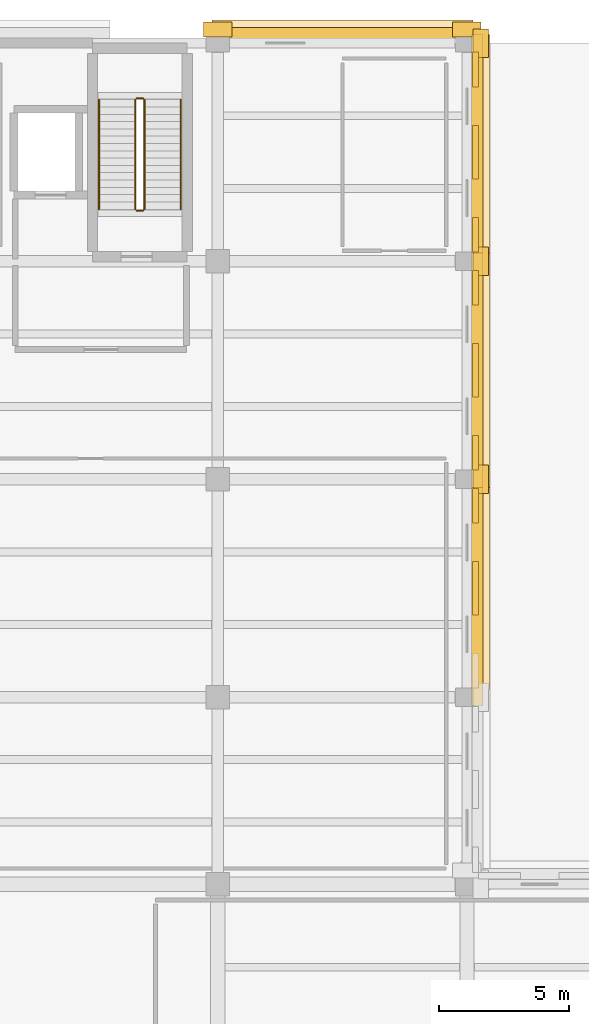
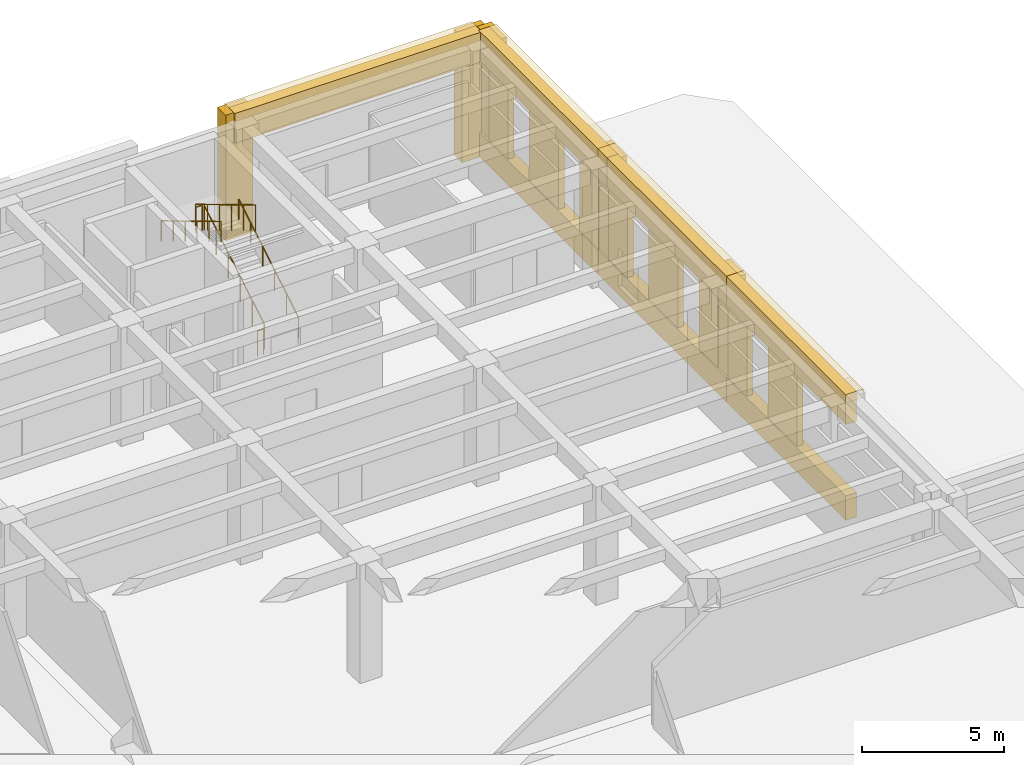
# One storey, part 48 of 51: 24 coverings, 6 railings.
"""IFC4 building model written with IfcOpenShell, lengths in metres."""

from ifc_helpers import new_model, si_unit, direction, frame, origin, origin_2d, place, context, subcontext, project, spatial, rectangle, circle, extrude, material, layer, layer_set, type_object, element, save


model = new_model("IFC4")

# Units and contexts
model_context = context("Model", 3, precision=1e-05, world=origin(), true_north=direction((0.0, 1.0)))
body_context = subcontext(model_context, "Body", "Model", "MODEL_VIEW")
ifc_project = project(units=[si_unit("LENGTHUNIT", "METRE"), si_unit("AREAUNIT", "SQUARE_METRE"), si_unit("VOLUMEUNIT", "CUBIC_METRE"), si_unit("PLANEANGLEUNIT", "RADIAN"), si_unit("MASSUNIT", "GRAM", prefix="KILO")], contexts=[model_context])

# Site, building, storey
site_placement = place(None, origin())
site = spatial("IfcSite", under=ifc_project, at=site_placement, CompositionType="ELEMENT")
building_placement = place(site_placement, origin())
building = spatial("IfcBuilding", under=site, at=building_placement, Name="Bempovik Park Faculty of Sciences", CompositionType="ELEMENT")
storey_placement = place(building_placement, origin())
storey = spatial("IfcBuildingStorey", under=building, at=storey_placement, Name="L00", CompositionType="ELEMENT", Elevation=0.0)

# Coverings
ifc_material_1 = material(Name="Precast concrete C40/50", Category="concrete")
ifc_layer_1 = layer(ifc_material_1, 0.179931640625)
ifc_layer_set_1 = layer_set([ifc_layer_1], Name="Precast concrete C40/50")
covering_type_1 = type_object("IfcCoveringType", Name="CL-02 Classical Cornice Band 180mm", PredefinedType="CLADDING", material=ifc_layer_set_1)
covering_1_placement = place(storey_placement, frame((112.800048828125, 119.929931640625, 5.0400390625), z_axis=(0.0, 0.0, 1.0), x_axis=(1.0, 0.0, 0.0)))
element("IfcCovering", 1, at=covering_1_placement, inside=storey, type_object=covering_type_1, Name="L00 Classical Projecting Dentil Cornice EW-L00-5876", PredefinedType="CLADDING", context=body_context, shape_type="SweptSolid", body=[
    extrude(rectangle(XDim=10.0458984375, YDim=0.719970703125, at=origin_2d()), origin(), (0.0, 0.0, 1.0), 0.360107421875),
])
for number, where, z_axis, x_axis, name in (
    (2, (118.1298828125, 98.39990234375, 5.0400390625), (0.0, 0.0, 1.0), (1.0, 0.0, 0.0), "L00 Classical Projecting Dentil Cornice EW-L00-5891"),
    (3, (118.1298828125, 106.800048828125, 5.0400390625), (0.0, 0.0, 1.0), (1.0, 0.0, 0.0), "L00 Classical Projecting Dentil Cornice EW-L00-5901"),
    (4, (118.1298828125, 115.199951171875, 5.0400390625), (0.0, 0.0, 1.0), (1.0, 0.0, 0.0), "L00 Classical Projecting Dentil Cornice EW-L00-5911"),
):
    element("IfcCovering", number, at=place(storey_placement, frame(where, z_axis=z_axis, x_axis=x_axis)), inside=storey, type_object=covering_type_1, Name=name, PredefinedType="CLADDING", context=body_context, shape_type="SweptSolid", body=[
        extrude(rectangle(XDim=0.719970703125, YDim=9.0458984375, at=origin_2d()), origin(), (0.0, 0.0, 1.0), 0.360107421875),
    ])
ifc_material_2 = material(Name="White reconstituted limestone precast C40/50", Category="masonry")
ifc_layer_2 = layer(ifc_material_2, 0.239990234375)
ifc_layer_set_2 = layer_set([ifc_layer_2], Name="White reconstituted limestone precast C40/50")
covering_type_2 = type_object("IfcCoveringType", Name="CL-03 Classical Fluted Limestone Pilaster 240mm", PredefinedType="CLADDING", material=ifc_layer_set_2)
covering_2_placement = place(storey_placement, frame((108.0, 119.929931640625, 0.0), z_axis=(0.0, 0.0, 1.0), x_axis=(1.0, 0.0, 0.0)))
element("IfcCovering", 5, at=covering_2_placement, inside=storey, type_object=covering_type_2, Name="L00 Classical Fluted Stone Pilaster PIL-BA-L00-1080-1199", PredefinedType="CLADDING", context=body_context, shape_type="SweptSolid", body=[
    extrude(rectangle(XDim=1.10009765625, YDim=0.580078125, at=origin_2d()), origin(), (0.0, 0.0, 1.0), 5.39990234375),
])
covering_3_placement = place(storey_placement, frame((112.800048828125, 119.7900390625, 4.1201171875), z_axis=(0.0, 0.0, 1.0), x_axis=(1.0, 0.0, 0.0)))
element("IfcCovering", 6, at=covering_3_placement, inside=storey, type_object=covering_type_2, Name="L00 Classical Limestone Spandrel Entablature EW-L00-5876", PredefinedType="CLADDING", context=body_context, shape_type="SweptSolid", body=[
    extrude(rectangle(XDim=10.0458984375, YDim=0.43994140625, at=origin_2d()), origin(), (0.0, 0.0, 1.0), 1.280029296875),
])
covering_4_placement = place(storey_placement, frame((117.60009765625, 119.929931640625, 0.0), z_axis=(0.0, 0.0, 1.0), x_axis=(1.0, 0.0, 0.0)))
element("IfcCovering", 7, at=covering_4_placement, inside=storey, type_object=covering_type_2, Name="L00 Classical Fluted Stone Pilaster PIL-BA-L00-1176-1199", PredefinedType="CLADDING", context=body_context, shape_type="SweptSolid", body=[
    extrude(rectangle(XDim=1.10009765625, YDim=0.580078125, at=origin_2d()), origin(), (0.0, 0.0, 1.0), 5.39990234375),
])
covering_5_placement = place(storey_placement, frame((117.989990234375, 98.39990234375, 4.1201171875), z_axis=(0.0, 0.0, 1.0), x_axis=(1.0, 0.0, 0.0)))
element("IfcCovering", 8, at=covering_5_placement, inside=storey, type_object=covering_type_2, Name="L00 Classical Limestone Spandrel Entablature EW-L00-5891", PredefinedType="CLADDING", context=body_context, shape_type="SweptSolid", body=[
    extrude(rectangle(XDim=0.43994140625, YDim=9.0458984375, at=origin_2d()), origin(), (0.0, 0.0, 1.0), 1.280029296875),
])
covering_6_placement = place(storey_placement, frame((117.989990234375, 98.39990234375, 0.0), z_axis=(0.0, 0.0, 1.0), x_axis=(1.0, 0.0, 0.0)))
element("IfcCovering", 9, at=covering_6_placement, inside=storey, type_object=covering_type_2, Name="L00 Classical Limestone Sill Dado EW-L00-5891", PredefinedType="CLADDING", context=body_context, shape_type="SweptSolid", body=[
    extrude(rectangle(XDim=0.43994140625, YDim=9.0458984375, at=origin_2d()), origin(), (0.0, 0.0, 1.0), 1.050048828125),
])
covering_7_placement = place(storey_placement, frame((118.1298828125, 102.60009765625, 0.0), z_axis=(0.0, 0.0, 1.0), x_axis=(1.0, 0.0, 0.0)))
element("IfcCovering", 10, at=covering_7_placement, inside=storey, type_object=covering_type_2, Name="L00 Classical Fluted Stone Pilaster PIL-BA-L00-1181-1026", PredefinedType="CLADDING", context=body_context, shape_type="SweptSolid", body=[
    extrude(rectangle(XDim=0.580078125, YDim=1.10009765625, at=origin_2d()), origin(), (0.0, 0.0, 1.0), 5.39990234375),
])
covering_8_placement = place(storey_placement, frame((117.929931640625, 98.39990234375, 0.0), z_axis=(0.0, 0.0, 1.0), x_axis=(1.0, 0.0, 0.0)))
element("IfcCovering", 11, at=covering_8_placement, inside=storey, type_object=covering_type_2, Name="L00 White Limestone Wall Cheek EW-L00-5891-2", PredefinedType="CLADDING", context=body_context, shape_type="SweptSolid", body=[
    extrude(rectangle(XDim=0.239990234375, YDim=2.060302734375, at=origin_2d()), origin(), (0.0, 0.0, 1.0), 4.280029296875),
])
covering_9_placement = place(storey_placement, frame((117.929931640625, 101.5791015625, 0.0), z_axis=(0.0, 0.0, 1.0), x_axis=(1.0, 0.0, 0.0)))
element("IfcCovering", 12, at=covering_9_placement, inside=storey, type_object=covering_type_2, Name="L00 White Limestone Wall Cheek EW-L00-5891-4", PredefinedType="CLADDING", context=body_context, shape_type="SweptSolid", body=[
    extrude(rectangle(XDim=0.239990234375, YDim=1.337890625, at=origin_2d()), origin(), (0.0, 0.0, 1.0), 4.280029296875),
])
covering_10_placement = place(storey_placement, frame((117.989990234375, 106.800048828125, 4.1201171875), z_axis=(0.0, 0.0, 1.0), x_axis=(1.0, 0.0, 0.0)))
element("IfcCovering", 13, at=covering_10_placement, inside=storey, type_object=covering_type_2, Name="L00 Classical Limestone Spandrel Entablature EW-L00-5901", PredefinedType="CLADDING", context=body_context, shape_type="SweptSolid", body=[
    extrude(rectangle(XDim=0.43994140625, YDim=9.0458984375, at=origin_2d()), origin(), (0.0, 0.0, 1.0), 1.280029296875),
])
covering_11_placement = place(storey_placement, frame((117.989990234375, 106.800048828125, 0.0), z_axis=(0.0, 0.0, 1.0), x_axis=(1.0, 0.0, 0.0)))
element("IfcCovering", 14, at=covering_11_placement, inside=storey, type_object=covering_type_2, Name="L00 Classical Limestone Sill Dado EW-L00-5901", PredefinedType="CLADDING", context=body_context, shape_type="SweptSolid", body=[
    extrude(rectangle(XDim=0.43994140625, YDim=9.0458984375, at=origin_2d()), origin(), (0.0, 0.0, 1.0), 1.050048828125),
])
covering_12_placement = place(storey_placement, frame((118.1298828125, 111.0, 0.0), z_axis=(0.0, 0.0, 1.0), x_axis=(1.0, 0.0, 0.0)))
element("IfcCovering", 15, at=covering_12_placement, inside=storey, type_object=covering_type_2, Name="L00 Classical Fluted Stone Pilaster PIL-BA-L00-1181-1110", PredefinedType="CLADDING", context=body_context, shape_type="SweptSolid", body=[
    extrude(rectangle(XDim=0.580078125, YDim=1.10009765625, at=origin_2d()), origin(), (0.0, 0.0, 1.0), 5.39990234375),
])
covering_13_placement = place(storey_placement, frame((117.929931640625, 103.620849609375, 0.0), z_axis=(0.0, 0.0, 1.0), x_axis=(1.0, 0.0, 0.0)))
element("IfcCovering", 16, at=covering_13_placement, inside=storey, type_object=covering_type_2, Name="L00 White Limestone Wall Cheek EW-L00-5901-0", PredefinedType="CLADDING", context=body_context, shape_type="SweptSolid", body=[
    extrude(rectangle(XDim=0.239990234375, YDim=1.337890625, at=origin_2d()), origin(), (0.0, 0.0, 1.0), 4.280029296875),
])
covering_14_placement = place(storey_placement, frame((117.929931640625, 106.800048828125, 0.0), z_axis=(0.0, 0.0, 1.0), x_axis=(1.0, 0.0, 0.0)))
element("IfcCovering", 17, at=covering_14_placement, inside=storey, type_object=covering_type_2, Name="L00 White Limestone Wall Cheek EW-L00-5901-2", PredefinedType="CLADDING", context=body_context, shape_type="SweptSolid", body=[
    extrude(rectangle(XDim=0.239990234375, YDim=2.060302734375, at=origin_2d()), origin(), (0.0, 0.0, 1.0), 4.280029296875),
])
covering_15_placement = place(storey_placement, frame((117.929931640625, 109.97900390625, 0.0), z_axis=(0.0, 0.0, 1.0), x_axis=(1.0, 0.0, 0.0)))
element("IfcCovering", 18, at=covering_15_placement, inside=storey, type_object=covering_type_2, Name="L00 White Limestone Wall Cheek EW-L00-5901-4", PredefinedType="CLADDING", context=body_context, shape_type="SweptSolid", body=[
    extrude(rectangle(XDim=0.239990234375, YDim=1.337890625, at=origin_2d()), origin(), (0.0, 0.0, 1.0), 4.280029296875),
])
covering_16_placement = place(storey_placement, frame((117.989990234375, 115.199951171875, 4.1201171875), z_axis=(0.0, 0.0, 1.0), x_axis=(1.0, 0.0, 0.0)))
element("IfcCovering", 19, at=covering_16_placement, inside=storey, type_object=covering_type_2, Name="L00 Classical Limestone Spandrel Entablature EW-L00-5911", PredefinedType="CLADDING", context=body_context, shape_type="SweptSolid", body=[
    extrude(rectangle(XDim=0.43994140625, YDim=9.0458984375, at=origin_2d()), origin(), (0.0, 0.0, 1.0), 1.280029296875),
])
covering_17_placement = place(storey_placement, frame((117.989990234375, 115.199951171875, 0.0), z_axis=(0.0, 0.0, 1.0), x_axis=(1.0, 0.0, 0.0)))
element("IfcCovering", 20, at=covering_17_placement, inside=storey, type_object=covering_type_2, Name="L00 Classical Limestone Sill Dado EW-L00-5911", PredefinedType="CLADDING", context=body_context, shape_type="SweptSolid", body=[
    extrude(rectangle(XDim=0.43994140625, YDim=9.0458984375, at=origin_2d()), origin(), (0.0, 0.0, 1.0), 1.050048828125),
])
covering_18_placement = place(storey_placement, frame((118.1298828125, 119.39990234375, 0.0), z_axis=(0.0, 0.0, 1.0), x_axis=(1.0, 0.0, 0.0)))
element("IfcCovering", 21, at=covering_18_placement, inside=storey, type_object=covering_type_2, Name="L00 Classical Fluted Stone Pilaster PIL-BA-L00-1181-1194", PredefinedType="CLADDING", context=body_context, shape_type="SweptSolid", body=[
    extrude(rectangle(XDim=0.580078125, YDim=1.10009765625, at=origin_2d()), origin(), (0.0, 0.0, 1.0), 5.39990234375),
])
covering_19_placement = place(storey_placement, frame((117.929931640625, 112.02099609375, 0.0), z_axis=(0.0, 0.0, 1.0), x_axis=(1.0, 0.0, 0.0)))
element("IfcCovering", 22, at=covering_19_placement, inside=storey, type_object=covering_type_2, Name="L00 White Limestone Wall Cheek EW-L00-5911-0", PredefinedType="CLADDING", context=body_context, shape_type="SweptSolid", body=[
    extrude(rectangle(XDim=0.239990234375, YDim=1.337890625, at=origin_2d()), origin(), (0.0, 0.0, 1.0), 4.280029296875),
])
covering_20_placement = place(storey_placement, frame((117.929931640625, 115.199951171875, 0.0), z_axis=(0.0, 0.0, 1.0), x_axis=(1.0, 0.0, 0.0)))
element("IfcCovering", 23, at=covering_20_placement, inside=storey, type_object=covering_type_2, Name="L00 White Limestone Wall Cheek EW-L00-5911-2", PredefinedType="CLADDING", context=body_context, shape_type="SweptSolid", body=[
    extrude(rectangle(XDim=0.239990234375, YDim=2.060302734375, at=origin_2d()), origin(), (0.0, 0.0, 1.0), 4.280029296875),
])
covering_21_placement = place(storey_placement, frame((117.929931640625, 118.379150390625, 0.0), z_axis=(0.0, 0.0, 1.0), x_axis=(1.0, 0.0, 0.0)))
element("IfcCovering", 24, at=covering_21_placement, inside=storey, type_object=covering_type_2, Name="L00 White Limestone Wall Cheek EW-L00-5911-4", PredefinedType="CLADDING", context=body_context, shape_type="SweptSolid", body=[
    extrude(rectangle(XDim=0.239990234375, YDim=1.337890625, at=origin_2d()), origin(), (0.0, 0.0, 1.0), 4.280029296875),
])

# Railings
ifc_material_3 = material(Name="Anodised architectural bronze")
railing_type_1 = type_object("IfcRailingType", Name="GR-01 Guardrail 1120mm", PredefinedType="GUARDRAIL", material=ifc_material_3)
railing_1_placement = place(storey_placement, frame((105.175048828125, 113.0, 0.168701171875)))
element("IfcRailing", 25, at=railing_1_placement, inside=storey, type_object=railing_type_1, Name="L00 ST-2 Stair Guard 1", PredefinedType="GUARDRAIL", context=body_context, shape_type="SweptSolid", body=[
    extrude(circle(Radius=0.02392578125, at=origin_2d()), frame((0.0, 0.0, 1.09619140625), z_axis=(0.0, 0.857492925713, 0.514495755428), x_axis=(-1.0, 0.0, 0.0)), (0.0, 0.0, 1.0), 4.919921875),
    extrude(circle(Radius=0.02099609375, at=origin_2d()), origin(), (0.0, 0.0, 1.0), 1.072021484375),
    extrude(circle(Radius=0.02099609375, at=origin_2d()), frame((0.0, 0.84375, 0.50634765625)), (0.0, 0.0, 1.0), 1.072021484375),
    extrude(circle(Radius=0.02099609375, at=origin_2d()), frame((0.0, 1.6875, 1.012451171875)), (0.0, 0.0, 1.0), 1.072021484375),
    extrude(circle(Radius=0.02099609375, at=origin_2d()), frame((0.0, 2.53125, 1.518798828125)), (0.0, 0.0, 1.0), 1.072021484375),
    extrude(circle(Radius=0.02099609375, at=origin_2d()), frame((0.0, 3.375, 2.02490234375)), (0.0, 0.0, 1.0), 1.072021484375),
    extrude(circle(Radius=0.02099609375, at=origin_2d()), frame((0.0, 4.21875, 2.53125)), (0.0, 0.0, 1.0), 1.072021484375),
])
railing_2_placement = place(storey_placement, frame((105.125, 117.268798828125, 2.699951171875)))
element("IfcRailing", 26, at=railing_2_placement, inside=storey, type_object=railing_type_1, Name="L00 ST-2 Stair Guard 2", PredefinedType="GUARDRAIL", context=body_context, shape_type="SweptSolid", body=[
    extrude(circle(Radius=0.02392578125, at=origin_2d()), frame((0.0, 0.0, 1.09619140625), z_axis=(-1.0, 0.0, 0.0), x_axis=(0.0, -1.0, 0.0)), (0.0, 0.0, 1.0), 0.25),
    extrude(circle(Radius=0.02099609375, at=origin_2d()), origin(), (0.0, 0.0, 1.0), 1.072021484375),
    extrude(circle(Radius=0.02099609375, at=origin_2d()), frame((-0.25, 0.0, 0.0)), (0.0, 0.0, 1.0), 1.072021484375),
])
railing_3_placement = place(storey_placement, frame((104.824951171875, 117.21875, 2.86865234375)))
element("IfcRailing", 27, at=railing_3_placement, inside=storey, type_object=railing_type_1, Name="L00 ST-2 Stair Guard 3", PredefinedType="GUARDRAIL", context=body_context, shape_type="SweptSolid", body=[
    extrude(circle(Radius=0.02392578125, at=origin_2d()), frame((0.0, 0.0, 1.09619140625), z_axis=(0.0, -0.857492925713, 0.514495755428), x_axis=(1.0, 0.0, 0.0)), (0.0, 0.0, 1.0), 4.919921875),
    extrude(circle(Radius=0.02099609375, at=origin_2d()), origin(), (0.0, 0.0, 1.0), 1.072021484375),
    extrude(circle(Radius=0.02099609375, at=origin_2d()), frame((0.0, -0.84375, 0.50634765625)), (0.0, 0.0, 1.0), 1.072021484375),
    extrude(circle(Radius=0.02099609375, at=origin_2d()), frame((0.0, -1.6875, 1.012451171875)), (0.0, 0.0, 1.0), 1.072021484375),
    extrude(circle(Radius=0.02099609375, at=origin_2d()), frame((0.0, -2.53125, 1.518798828125)), (0.0, 0.0, 1.0), 1.072021484375),
    extrude(circle(Radius=0.02099609375, at=origin_2d()), frame((0.0, -3.375, 2.02490234375)), (0.0, 0.0, 1.0), 1.072021484375),
    extrude(circle(Radius=0.02099609375, at=origin_2d()), frame((0.0, -4.21875, 2.53125)), (0.0, 0.0, 1.0), 1.072021484375),
])
railing_4_placement = place(storey_placement, frame((105.125, 112.949951171875, 0.0)))
element("IfcRailing", 28, at=railing_4_placement, inside=storey, type_object=railing_type_1, Name="L00 ST-2 Stair Guard 4", PredefinedType="GUARDRAIL", context=body_context, shape_type="SweptSolid", body=[
    extrude(circle(Radius=0.02392578125, at=origin_2d()), frame((0.0, 0.0, 1.09619140625), z_axis=(-1.0, 0.0, 0.0), x_axis=(0.0, -1.0, 0.0)), (0.0, 0.0, 1.0), 0.25),
    extrude(circle(Radius=0.02099609375, at=origin_2d()), origin(), (0.0, 0.0, 1.0), 1.072021484375),
    extrude(circle(Radius=0.02099609375, at=origin_2d()), frame((-0.25, 0.0, 0.0)), (0.0, 0.0, 1.0), 1.072021484375),
])
railing_type_2 = type_object("IfcRailingType", Name="HR-01 Wall Handrail 900mm", PredefinedType="HANDRAIL", material=ifc_material_3)
railing_5_placement = place(storey_placement, frame((106.574951171875, 113.0, 0.168701171875)))
element("IfcRailing", 29, at=railing_5_placement, inside=storey, type_object=railing_type_2, Name="L00 ST-2 Stair Handrail 1", PredefinedType="HANDRAIL", context=body_context, shape_type="SweptSolid", body=[
    extrude(circle(Radius=0.02392578125, at=origin_2d()), frame((0.0, 0.0, 0.8759765625), z_axis=(0.0, 0.857492925713, 0.514495755428), x_axis=(-1.0, 0.0, 0.0)), (0.0, 0.0, 1.0), 4.919921875),
    extrude(circle(Radius=0.02099609375, at=origin_2d()), origin(), (0.0, 0.0, 1.0), 0.851806640625),
    extrude(circle(Radius=0.02099609375, at=origin_2d()), frame((0.0, 0.84375, 0.50634765625)), (0.0, 0.0, 1.0), 0.851806640625),
    extrude(circle(Radius=0.02099609375, at=origin_2d()), frame((0.0, 1.6875, 1.012451171875)), (0.0, 0.0, 1.0), 0.851806640625),
    extrude(circle(Radius=0.02099609375, at=origin_2d()), frame((0.0, 2.53125, 1.518798828125)), (0.0, 0.0, 1.0), 0.851806640625),
    extrude(circle(Radius=0.02099609375, at=origin_2d()), frame((0.0, 3.375, 2.02490234375)), (0.0, 0.0, 1.0), 0.851806640625),
    extrude(circle(Radius=0.02099609375, at=origin_2d()), frame((0.0, 4.21875, 2.53125)), (0.0, 0.0, 1.0), 0.851806640625),
])
railing_6_placement = place(storey_placement, frame((103.425048828125, 117.21875, 2.86865234375)))
element("IfcRailing", 30, at=railing_6_placement, inside=storey, type_object=railing_type_2, Name="L00 ST-2 Stair Handrail 2", PredefinedType="HANDRAIL", context=body_context, shape_type="SweptSolid", body=[
    extrude(circle(Radius=0.02392578125, at=origin_2d()), frame((0.0, 0.0, 0.8759765625), z_axis=(0.0, -0.857492925713, 0.514495755428), x_axis=(1.0, 0.0, 0.0)), (0.0, 0.0, 1.0), 4.919921875),
    extrude(circle(Radius=0.02099609375, at=origin_2d()), origin(), (0.0, 0.0, 1.0), 0.851806640625),
    extrude(circle(Radius=0.02099609375, at=origin_2d()), frame((0.0, -0.84375, 0.50634765625)), (0.0, 0.0, 1.0), 0.851806640625),
    extrude(circle(Radius=0.02099609375, at=origin_2d()), frame((0.0, -1.6875, 1.012451171875)), (0.0, 0.0, 1.0), 0.851806640625),
    extrude(circle(Radius=0.02099609375, at=origin_2d()), frame((0.0, -2.53125, 1.518798828125)), (0.0, 0.0, 1.0), 0.851806640625),
    extrude(circle(Radius=0.02099609375, at=origin_2d()), frame((0.0, -3.375, 2.02490234375)), (0.0, 0.0, 1.0), 0.851806640625),
    extrude(circle(Radius=0.02099609375, at=origin_2d()), frame((0.0, -4.21875, 2.53125)), (0.0, 0.0, 1.0), 0.851806640625),
])

save(model, "model.ifc")
